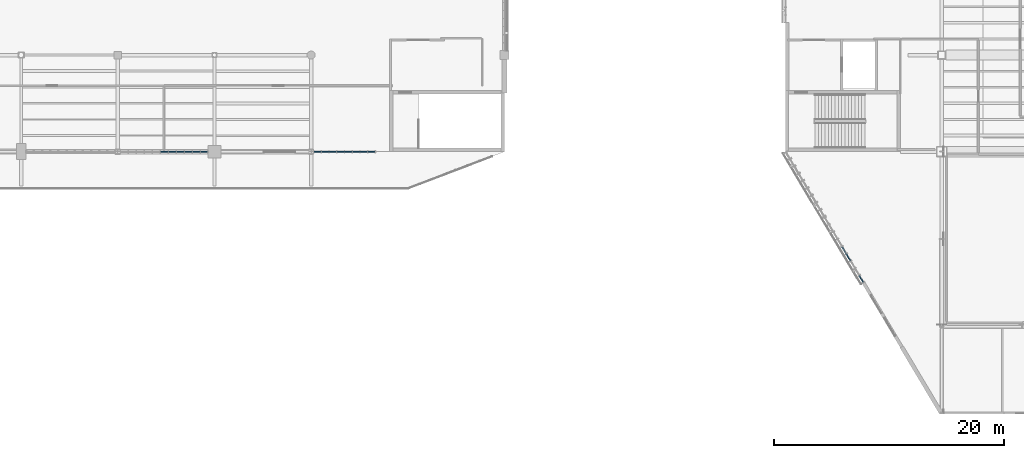
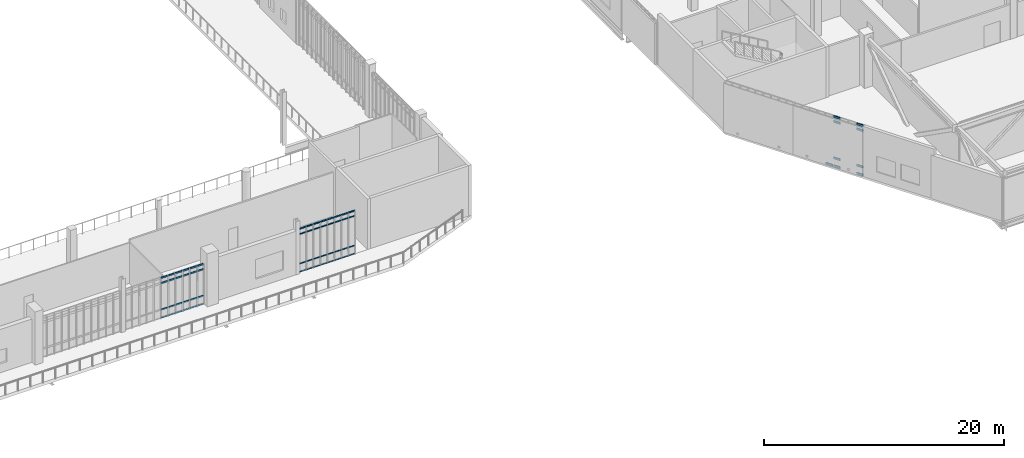
# One storey, part 48 of 135: 65 members, 3 elements without a shape of their own.
"""IFC4 building model written with IfcOpenShell, lengths in metres."""

from ifc_helpers import new_model, si_unit, direction, frame, origin, origin_2d, place, context, subcontext, project, spatial, rectangle, extrude, material, material_profile, profile_set, type_object, element, aggregate, save


model = new_model("IFC4")

# Units and contexts
model_context = context("Model", 3, precision=1e-05, world=origin(), true_north=direction((0.0, 1.0)))
body_context = subcontext(model_context, "Body", "Model", "MODEL_VIEW")
ifc_project = project(units=[si_unit("LENGTHUNIT", "METRE"), si_unit("AREAUNIT", "SQUARE_METRE"), si_unit("VOLUMEUNIT", "CUBIC_METRE"), si_unit("PLANEANGLEUNIT", "RADIAN"), si_unit("MASSUNIT", "GRAM", prefix="KILO")], contexts=[model_context])

# Site, building, storey
site_placement = place(None, origin())
site = spatial("IfcSite", under=ifc_project, at=site_placement, CompositionType="ELEMENT")
building_placement = place(site_placement, origin())
building = spatial("IfcBuilding", under=site, at=building_placement, Name="Larkvane Passage Sports Hall", CompositionType="ELEMENT")
storey_placement = place(building_placement, frame((0.0, 0.0, 16.800048828125)))
storey = spatial("IfcBuildingStorey", under=building, at=storey_placement, Name="L03", CompositionType="ELEMENT", Elevation=16.800048828125)

# Curtain wall, members
ifc_material_1 = material(Name="Thermally broken aluminium and low-E glazing", Category="aluminium")
curtain_wall_type_1 = type_object("IfcCurtainWallType", Name="CW-UNIT-COURT", PredefinedType="USERDEFINED", material=ifc_material_1)
curtain_wall_1_placement = place(storey_placement, origin())
curtain_wall_1 = element("IfcCurtainWall", 1, at=curtain_wall_1_placement, inside=storey, type_object=curtain_wall_type_1, Name="Curtain wall CW5-L03-124", ObjectType="UNITISED CURTAIN WALL", PredefinedType="USERDEFINED")
ifc_material_2 = material(Name="Anodised aluminium 6063-T6", Category="aluminium")
ifc_material_profile_1 = material_profile(ifc_material_2, rectangle(XDim=0.06005859375, YDim=0.1201171875, at=origin_2d()), Name="ALU-TRN-60x120")
ifc_profile_set_1 = profile_set([ifc_material_profile_1], Name="Anodised aluminium 6063-T6")
member_type_1 = type_object("IfcMemberType", Name="CW-TRN-60x120", PredefinedType="USERDEFINED", material=ifc_profile_set_1)
member_1_placement = place(storey_placement, frame((82.340087890625, 22.800048828125, 0.030029296875), z_axis=(-1.0, 0.0, 0.0), x_axis=(0.0, -1.0, 0.0)))
member_1 = element("IfcMember", 2, at=member_1_placement, type_object=member_type_1, Name="CW-01 transom 1.1", ObjectType="TRANSOM", PredefinedType="USERDEFINED", context=body_context, shape_type="SweptSolid", body=[
    extrude(rectangle(XDim=0.06005859375, YDim=0.1201171875, at=origin_2d()), origin(), (0.0, 0.0, 1.0), 0.585205078125),
])
member_2_placement = place(storey_placement, frame((82.340087890625, 22.800048828125, 0.849853515625), z_axis=(-1.0, 0.0, 0.0), x_axis=(0.0, -1.0, 0.0)))
member_2 = element("IfcMember", 3, at=member_2_placement, type_object=member_type_1, Name="CW-01 transom 1.2", ObjectType="TRANSOM", PredefinedType="USERDEFINED", context=body_context, shape_type="SweptSolid", body=[
    extrude(rectangle(XDim=0.06005859375, YDim=0.1201171875, at=origin_2d()), origin(), (0.0, 0.0, 1.0), 0.585205078125),
])
member_3_placement = place(storey_placement, frame((82.340087890625, 22.800048828125, 3.869873046875), z_axis=(-1.0, 0.0, 0.0), x_axis=(0.0, -1.0, 0.0)))
member_3 = element("IfcMember", 4, at=member_3_placement, type_object=member_type_1, Name="CW-01 transom 1.3", ObjectType="TRANSOM", PredefinedType="USERDEFINED", context=body_context, shape_type="SweptSolid", body=[
    extrude(rectangle(XDim=0.06005859375, YDim=0.1201171875, at=origin_2d()), origin(), (0.0, 0.0, 1.0), 0.585205078125),
])
member_4_placement = place(storey_placement, frame((82.340087890625, 22.800048828125, 4.389892578125), z_axis=(-1.0, 0.0, 0.0), x_axis=(0.0, -1.0, 0.0)))
member_4 = element("IfcMember", 5, at=member_4_placement, type_object=member_type_1, Name="CW-01 transom 1.4", ObjectType="TRANSOM", PredefinedType="USERDEFINED", context=body_context, shape_type="SweptSolid", body=[
    extrude(rectangle(XDim=0.06005859375, YDim=0.1201171875, at=origin_2d()), origin(), (0.0, 0.0, 1.0), 0.585205078125),
])
member_5_placement = place(storey_placement, frame((81.69482421875, 22.800048828125, 0.030029296875), z_axis=(-1.0, 0.0, 0.0), x_axis=(0.0, -1.0, 0.0)))
member_5 = element("IfcMember", 6, at=member_5_placement, type_object=member_type_1, Name="CW-01 transom 2.1", ObjectType="TRANSOM", PredefinedType="USERDEFINED", context=body_context, shape_type="SweptSolid", body=[
    extrude(rectangle(XDim=0.06005859375, YDim=0.1201171875, at=origin_2d()), origin(), (0.0, 0.0, 1.0), 0.615234375),
])
member_6_placement = place(storey_placement, frame((81.69482421875, 22.800048828125, 0.849853515625), z_axis=(-1.0, 0.0, 0.0), x_axis=(0.0, -1.0, 0.0)))
member_6 = element("IfcMember", 7, at=member_6_placement, type_object=member_type_1, Name="CW-01 transom 2.2", ObjectType="TRANSOM", PredefinedType="USERDEFINED", context=body_context, shape_type="SweptSolid", body=[
    extrude(rectangle(XDim=0.06005859375, YDim=0.1201171875, at=origin_2d()), origin(), (0.0, 0.0, 1.0), 0.615234375),
])
member_7_placement = place(storey_placement, frame((81.69482421875, 22.800048828125, 3.869873046875), z_axis=(-1.0, 0.0, 0.0), x_axis=(0.0, -1.0, 0.0)))
member_7 = element("IfcMember", 8, at=member_7_placement, type_object=member_type_1, Name="CW-01 transom 2.3", ObjectType="TRANSOM", PredefinedType="USERDEFINED", context=body_context, shape_type="SweptSolid", body=[
    extrude(rectangle(XDim=0.06005859375, YDim=0.1201171875, at=origin_2d()), origin(), (0.0, 0.0, 1.0), 0.615234375),
])
member_8_placement = place(storey_placement, frame((81.69482421875, 22.800048828125, 4.389892578125), z_axis=(-1.0, 0.0, 0.0), x_axis=(0.0, -1.0, 0.0)))
member_8 = element("IfcMember", 9, at=member_8_placement, type_object=member_type_1, Name="CW-01 transom 2.4", ObjectType="TRANSOM", PredefinedType="USERDEFINED", context=body_context, shape_type="SweptSolid", body=[
    extrude(rectangle(XDim=0.06005859375, YDim=0.1201171875, at=origin_2d()), origin(), (0.0, 0.0, 1.0), 0.615234375),
])
member_9_placement = place(storey_placement, frame((81.01953125, 22.800048828125, 0.030029296875), z_axis=(-1.0, 0.0, 0.0), x_axis=(0.0, -1.0, 0.0)))
member_9 = element("IfcMember", 10, at=member_9_placement, type_object=member_type_1, Name="CW-01 transom 3.1", ObjectType="TRANSOM", PredefinedType="USERDEFINED", context=body_context, shape_type="SweptSolid", body=[
    extrude(rectangle(XDim=0.06005859375, YDim=0.1201171875, at=origin_2d()), origin(), (0.0, 0.0, 1.0), 0.614990234375),
])
member_10_placement = place(storey_placement, frame((81.01953125, 22.800048828125, 0.849853515625), z_axis=(-1.0, 0.0, 0.0), x_axis=(0.0, -1.0, 0.0)))
member_10 = element("IfcMember", 11, at=member_10_placement, type_object=member_type_1, Name="CW-01 transom 3.2", ObjectType="TRANSOM", PredefinedType="USERDEFINED", context=body_context, shape_type="SweptSolid", body=[
    extrude(rectangle(XDim=0.06005859375, YDim=0.1201171875, at=origin_2d()), origin(), (0.0, 0.0, 1.0), 0.614990234375),
])
member_11_placement = place(storey_placement, frame((81.01953125, 22.800048828125, 3.869873046875), z_axis=(-1.0, 0.0, 0.0), x_axis=(0.0, -1.0, 0.0)))
member_11 = element("IfcMember", 12, at=member_11_placement, type_object=member_type_1, Name="CW-01 transom 3.3", ObjectType="TRANSOM", PredefinedType="USERDEFINED", context=body_context, shape_type="SweptSolid", body=[
    extrude(rectangle(XDim=0.06005859375, YDim=0.1201171875, at=origin_2d()), origin(), (0.0, 0.0, 1.0), 0.614990234375),
])
member_12_placement = place(storey_placement, frame((81.01953125, 22.800048828125, 4.389892578125), z_axis=(-1.0, 0.0, 0.0), x_axis=(0.0, -1.0, 0.0)))
member_12 = element("IfcMember", 13, at=member_12_placement, type_object=member_type_1, Name="CW-01 transom 3.4", ObjectType="TRANSOM", PredefinedType="USERDEFINED", context=body_context, shape_type="SweptSolid", body=[
    extrude(rectangle(XDim=0.06005859375, YDim=0.1201171875, at=origin_2d()), origin(), (0.0, 0.0, 1.0), 0.614990234375),
])
member_13_placement = place(storey_placement, frame((80.344482421875, 22.800048828125, 0.030029296875), z_axis=(-1.0, 0.0, 0.0), x_axis=(0.0, -1.0, 0.0)))
member_13 = element("IfcMember", 14, at=member_13_placement, type_object=member_type_1, Name="CW-01 transom 4.1", ObjectType="TRANSOM", PredefinedType="USERDEFINED", context=body_context, shape_type="SweptSolid", body=[
    extrude(rectangle(XDim=0.06005859375, YDim=0.1201171875, at=origin_2d()), origin(), (0.0, 0.0, 1.0), 0.615234375),
])
member_14_placement = place(storey_placement, frame((80.344482421875, 22.800048828125, 0.849853515625), z_axis=(-1.0, 0.0, 0.0), x_axis=(0.0, -1.0, 0.0)))
member_14 = element("IfcMember", 15, at=member_14_placement, type_object=member_type_1, Name="CW-01 transom 4.2", ObjectType="TRANSOM", PredefinedType="USERDEFINED", context=body_context, shape_type="SweptSolid", body=[
    extrude(rectangle(XDim=0.06005859375, YDim=0.1201171875, at=origin_2d()), origin(), (0.0, 0.0, 1.0), 0.615234375),
])
member_15_placement = place(storey_placement, frame((80.344482421875, 22.800048828125, 3.869873046875), z_axis=(-1.0, 0.0, 0.0), x_axis=(0.0, -1.0, 0.0)))
member_15 = element("IfcMember", 16, at=member_15_placement, type_object=member_type_1, Name="CW-01 transom 4.3", ObjectType="TRANSOM", PredefinedType="USERDEFINED", context=body_context, shape_type="SweptSolid", body=[
    extrude(rectangle(XDim=0.06005859375, YDim=0.1201171875, at=origin_2d()), origin(), (0.0, 0.0, 1.0), 0.615234375),
])
member_16_placement = place(storey_placement, frame((80.344482421875, 22.800048828125, 4.389892578125), z_axis=(-1.0, 0.0, 0.0), x_axis=(0.0, -1.0, 0.0)))
member_16 = element("IfcMember", 17, at=member_16_placement, type_object=member_type_1, Name="CW-01 transom 4.4", ObjectType="TRANSOM", PredefinedType="USERDEFINED", context=body_context, shape_type="SweptSolid", body=[
    extrude(rectangle(XDim=0.06005859375, YDim=0.1201171875, at=origin_2d()), origin(), (0.0, 0.0, 1.0), 0.615234375),
])
member_17_placement = place(storey_placement, frame((79.669189453125, 22.800048828125, 0.030029296875), z_axis=(-1.0, 0.0, 0.0), x_axis=(0.0, -1.0, 0.0)))
member_17 = element("IfcMember", 18, at=member_17_placement, type_object=member_type_1, Name="CW-01 transom 5.1", ObjectType="TRANSOM", PredefinedType="USERDEFINED", context=body_context, shape_type="SweptSolid", body=[
    extrude(rectangle(XDim=0.06005859375, YDim=0.1201171875, at=origin_2d()), origin(), (0.0, 0.0, 1.0), 0.615234375),
])
member_18_placement = place(storey_placement, frame((79.669189453125, 22.800048828125, 0.849853515625), z_axis=(-1.0, 0.0, 0.0), x_axis=(0.0, -1.0, 0.0)))
member_18 = element("IfcMember", 19, at=member_18_placement, type_object=member_type_1, Name="CW-01 transom 5.2", ObjectType="TRANSOM", PredefinedType="USERDEFINED", context=body_context, shape_type="SweptSolid", body=[
    extrude(rectangle(XDim=0.06005859375, YDim=0.1201171875, at=origin_2d()), origin(), (0.0, 0.0, 1.0), 0.615234375),
])
member_19_placement = place(storey_placement, frame((79.669189453125, 22.800048828125, 3.869873046875), z_axis=(-1.0, 0.0, 0.0), x_axis=(0.0, -1.0, 0.0)))
member_19 = element("IfcMember", 20, at=member_19_placement, type_object=member_type_1, Name="CW-01 transom 5.3", ObjectType="TRANSOM", PredefinedType="USERDEFINED", context=body_context, shape_type="SweptSolid", body=[
    extrude(rectangle(XDim=0.06005859375, YDim=0.1201171875, at=origin_2d()), origin(), (0.0, 0.0, 1.0), 0.615234375),
])
member_20_placement = place(storey_placement, frame((79.669189453125, 22.800048828125, 4.389892578125), z_axis=(-1.0, 0.0, 0.0), x_axis=(0.0, -1.0, 0.0)))
member_20 = element("IfcMember", 21, at=member_20_placement, type_object=member_type_1, Name="CW-01 transom 5.4", ObjectType="TRANSOM", PredefinedType="USERDEFINED", context=body_context, shape_type="SweptSolid", body=[
    extrude(rectangle(XDim=0.06005859375, YDim=0.1201171875, at=origin_2d()), origin(), (0.0, 0.0, 1.0), 0.615234375),
])
member_21_placement = place(storey_placement, frame((78.994140625, 22.800048828125, 0.030029296875), z_axis=(-1.0, 0.0, 0.0), x_axis=(0.0, -1.0, 0.0)))
member_21 = element("IfcMember", 22, at=member_21_placement, type_object=member_type_1, Name="CW-01 transom 6.1", ObjectType="TRANSOM", PredefinedType="USERDEFINED", context=body_context, shape_type="SweptSolid", body=[
    extrude(rectangle(XDim=0.06005859375, YDim=0.1201171875, at=origin_2d()), origin(), (0.0, 0.0, 1.0), 0.615234375),
])
member_22_placement = place(storey_placement, frame((78.994140625, 22.800048828125, 0.849853515625), z_axis=(-1.0, 0.0, 0.0), x_axis=(0.0, -1.0, 0.0)))
member_22 = element("IfcMember", 23, at=member_22_placement, type_object=member_type_1, Name="CW-01 transom 6.2", ObjectType="TRANSOM", PredefinedType="USERDEFINED", context=body_context, shape_type="SweptSolid", body=[
    extrude(rectangle(XDim=0.06005859375, YDim=0.1201171875, at=origin_2d()), origin(), (0.0, 0.0, 1.0), 0.615234375),
])
member_23_placement = place(storey_placement, frame((78.994140625, 22.800048828125, 3.869873046875), z_axis=(-1.0, 0.0, 0.0), x_axis=(0.0, -1.0, 0.0)))
member_23 = element("IfcMember", 24, at=member_23_placement, type_object=member_type_1, Name="CW-01 transom 6.3", ObjectType="TRANSOM", PredefinedType="USERDEFINED", context=body_context, shape_type="SweptSolid", body=[
    extrude(rectangle(XDim=0.06005859375, YDim=0.1201171875, at=origin_2d()), origin(), (0.0, 0.0, 1.0), 0.615234375),
])
member_24_placement = place(storey_placement, frame((78.994140625, 22.800048828125, 4.389892578125), z_axis=(-1.0, 0.0, 0.0), x_axis=(0.0, -1.0, 0.0)))
member_24 = element("IfcMember", 25, at=member_24_placement, type_object=member_type_1, Name="CW-01 transom 6.4", ObjectType="TRANSOM", PredefinedType="USERDEFINED", context=body_context, shape_type="SweptSolid", body=[
    extrude(rectangle(XDim=0.06005859375, YDim=0.1201171875, at=origin_2d()), origin(), (0.0, 0.0, 1.0), 0.615234375),
])
member_25_placement = place(storey_placement, frame((78.31884765625, 22.800048828125, 0.030029296875), z_axis=(-1.0, 0.0, 0.0), x_axis=(0.0, -1.0, 0.0)))
member_25 = element("IfcMember", 26, at=member_25_placement, type_object=member_type_1, Name="CW-01 transom 7.1", ObjectType="TRANSOM", PredefinedType="USERDEFINED", context=body_context, shape_type="SweptSolid", body=[
    extrude(rectangle(XDim=0.06005859375, YDim=0.1201171875, at=origin_2d()), origin(), (0.0, 0.0, 1.0), 0.615234375),
])
member_26_placement = place(storey_placement, frame((78.31884765625, 22.800048828125, 0.849853515625), z_axis=(-1.0, 0.0, 0.0), x_axis=(0.0, -1.0, 0.0)))
member_26 = element("IfcMember", 27, at=member_26_placement, type_object=member_type_1, Name="CW-01 transom 7.2", ObjectType="TRANSOM", PredefinedType="USERDEFINED", context=body_context, shape_type="SweptSolid", body=[
    extrude(rectangle(XDim=0.06005859375, YDim=0.1201171875, at=origin_2d()), origin(), (0.0, 0.0, 1.0), 0.615234375),
])
member_27_placement = place(storey_placement, frame((78.31884765625, 22.800048828125, 3.869873046875), z_axis=(-1.0, 0.0, 0.0), x_axis=(0.0, -1.0, 0.0)))
member_27 = element("IfcMember", 28, at=member_27_placement, type_object=member_type_1, Name="CW-01 transom 7.3", ObjectType="TRANSOM", PredefinedType="USERDEFINED", context=body_context, shape_type="SweptSolid", body=[
    extrude(rectangle(XDim=0.06005859375, YDim=0.1201171875, at=origin_2d()), origin(), (0.0, 0.0, 1.0), 0.615234375),
])
member_28_placement = place(storey_placement, frame((78.31884765625, 22.800048828125, 4.389892578125), z_axis=(-1.0, 0.0, 0.0), x_axis=(0.0, -1.0, 0.0)))
member_28 = element("IfcMember", 29, at=member_28_placement, type_object=member_type_1, Name="CW-01 transom 7.4", ObjectType="TRANSOM", PredefinedType="USERDEFINED", context=body_context, shape_type="SweptSolid", body=[
    extrude(rectangle(XDim=0.06005859375, YDim=0.1201171875, at=origin_2d()), origin(), (0.0, 0.0, 1.0), 0.615234375),
])
member_29_placement = place(storey_placement, frame((77.643798828125, 22.800048828125, 0.030029296875), z_axis=(-1.0, 0.0, 0.0), x_axis=(0.0, -1.0, 0.0)))
member_29 = element("IfcMember", 30, at=member_29_placement, type_object=member_type_1, Name="CW-01 transom 8.1", ObjectType="TRANSOM", PredefinedType="USERDEFINED", context=body_context, shape_type="SweptSolid", body=[
    extrude(rectangle(XDim=0.06005859375, YDim=0.1201171875, at=origin_2d()), origin(), (0.0, 0.0, 1.0), 0.585205078125),
])
member_30_placement = place(storey_placement, frame((77.643798828125, 22.800048828125, 0.849853515625), z_axis=(-1.0, 0.0, 0.0), x_axis=(0.0, -1.0, 0.0)))
member_30 = element("IfcMember", 31, at=member_30_placement, type_object=member_type_1, Name="CW-01 transom 8.2", ObjectType="TRANSOM", PredefinedType="USERDEFINED", context=body_context, shape_type="SweptSolid", body=[
    extrude(rectangle(XDim=0.06005859375, YDim=0.1201171875, at=origin_2d()), origin(), (0.0, 0.0, 1.0), 0.585205078125),
])
member_31_placement = place(storey_placement, frame((77.643798828125, 22.800048828125, 3.869873046875), z_axis=(-1.0, 0.0, 0.0), x_axis=(0.0, -1.0, 0.0)))
member_31 = element("IfcMember", 32, at=member_31_placement, type_object=member_type_1, Name="CW-01 transom 8.3", ObjectType="TRANSOM", PredefinedType="USERDEFINED", context=body_context, shape_type="SweptSolid", body=[
    extrude(rectangle(XDim=0.06005859375, YDim=0.1201171875, at=origin_2d()), origin(), (0.0, 0.0, 1.0), 0.585205078125),
])
member_32_placement = place(storey_placement, frame((77.643798828125, 22.800048828125, 4.389892578125), z_axis=(-1.0, 0.0, 0.0), x_axis=(0.0, -1.0, 0.0)))
member_32 = element("IfcMember", 33, at=member_32_placement, type_object=member_type_1, Name="CW-01 transom 8.4", ObjectType="TRANSOM", PredefinedType="USERDEFINED", context=body_context, shape_type="SweptSolid", body=[
    extrude(rectangle(XDim=0.06005859375, YDim=0.1201171875, at=origin_2d()), origin(), (0.0, 0.0, 1.0), 0.585205078125),
])
aggregate(curtain_wall_1, [member_1, member_2, member_3, member_4, member_5, member_6, member_7, member_8, member_9, member_10, member_11, member_12, member_13, member_14, member_15, member_16, member_17, member_18, member_19, member_20, member_21, member_22, member_23, member_24, member_25, member_26, member_27, member_28, member_29, member_30, member_31, member_32])

curtain_wall_type_2 = type_object("IfcCurtainWallType", Name="CW-UNIT-VEIL", PredefinedType="USERDEFINED", material=ifc_material_1)
curtain_wall_2_placement = place(storey_placement, origin())
curtain_wall_2 = element("IfcCurtainWall", 34, at=curtain_wall_2_placement, inside=storey, type_object=curtain_wall_type_2, Name="Curtain wall CW5-L03-125", ObjectType="UNITISED CURTAIN WALL", PredefinedType="USERDEFINED")
ifc_material_profile_2 = material_profile(ifc_material_2, rectangle(XDim=0.070068359375, YDim=0.159912109375, at=origin_2d()), Name="ALU-TRN-70x160")
ifc_profile_set_2 = profile_set([ifc_material_profile_2], Name="Anodised aluminium 6063-T6")
member_type_2 = type_object("IfcMemberType", Name="CW-TRN-70x160", PredefinedType="USERDEFINED", material=ifc_profile_set_2)
member_33_placement = place(storey_placement, frame((67.783935546875, 22.800048828125, 0.034912109375), z_axis=(-1.0, 0.0, 0.0), x_axis=(0.0, -1.0, 0.0)))
member_33 = element("IfcMember", 35, at=member_33_placement, type_object=member_type_2, Name="CW-02 transom 1.1", ObjectType="TRANSOM", PredefinedType="USERDEFINED", context=body_context, shape_type="SweptSolid", body=[
    extrude(rectangle(XDim=0.070068359375, YDim=0.159912109375, at=origin_2d()), origin(), (0.0, 0.0, 1.0), 0.5908203125),
])
member_34_placement = place(storey_placement, frame((67.783935546875, 22.800048828125, 0.849853515625), z_axis=(-1.0, 0.0, 0.0), x_axis=(0.0, -1.0, 0.0)))
member_34 = element("IfcMember", 36, at=member_34_placement, type_object=member_type_2, Name="CW-02 transom 1.2", ObjectType="TRANSOM", PredefinedType="USERDEFINED", context=body_context, shape_type="SweptSolid", body=[
    extrude(rectangle(XDim=0.070068359375, YDim=0.159912109375, at=origin_2d()), origin(), (0.0, 0.0, 1.0), 0.5908203125),
])
member_35_placement = place(storey_placement, frame((67.783935546875, 22.800048828125, 3.557861328125), z_axis=(-1.0, 0.0, 0.0), x_axis=(0.0, -1.0, 0.0)))
member_35 = element("IfcMember", 37, at=member_35_placement, type_object=member_type_2, Name="CW-02 transom 1.3", ObjectType="TRANSOM", PredefinedType="USERDEFINED", context=body_context, shape_type="SweptSolid", body=[
    extrude(rectangle(XDim=0.070068359375, YDim=0.159912109375, at=origin_2d()), origin(), (0.0, 0.0, 1.0), 0.5908203125),
])
member_36_placement = place(storey_placement, frame((67.783935546875, 22.800048828125, 4.072998046875), z_axis=(-1.0, 0.0, 0.0), x_axis=(0.0, -1.0, 0.0)))
member_36 = element("IfcMember", 38, at=member_36_placement, type_object=member_type_2, Name="CW-02 transom 1.4", ObjectType="TRANSOM", PredefinedType="USERDEFINED", context=body_context, shape_type="SweptSolid", body=[
    extrude(rectangle(XDim=0.070068359375, YDim=0.159912109375, at=origin_2d()), origin(), (0.0, 0.0, 1.0), 0.5908203125),
])
member_37_placement = place(storey_placement, frame((67.123046875, 22.800048828125, 0.034912109375), z_axis=(-1.0, 0.0, 0.0), x_axis=(0.0, -1.0, 0.0)))
member_37 = element("IfcMember", 39, at=member_37_placement, type_object=member_type_2, Name="CW-02 transom 2.1", ObjectType="TRANSOM", PredefinedType="USERDEFINED", context=body_context, shape_type="SweptSolid", body=[
    extrude(rectangle(XDim=0.070068359375, YDim=0.159912109375, at=origin_2d()), origin(), (0.0, 0.0, 1.0), 0.625732421875),
])
member_38_placement = place(storey_placement, frame((67.123046875, 22.800048828125, 0.849853515625), z_axis=(-1.0, 0.0, 0.0), x_axis=(0.0, -1.0, 0.0)))
member_38 = element("IfcMember", 40, at=member_38_placement, type_object=member_type_2, Name="CW-02 transom 2.2", ObjectType="TRANSOM", PredefinedType="USERDEFINED", context=body_context, shape_type="SweptSolid", body=[
    extrude(rectangle(XDim=0.070068359375, YDim=0.159912109375, at=origin_2d()), origin(), (0.0, 0.0, 1.0), 0.625732421875),
])
member_39_placement = place(storey_placement, frame((67.123046875, 22.800048828125, 3.557861328125), z_axis=(-1.0, 0.0, 0.0), x_axis=(0.0, -1.0, 0.0)))
member_39 = element("IfcMember", 41, at=member_39_placement, type_object=member_type_2, Name="CW-02 transom 2.3", ObjectType="TRANSOM", PredefinedType="USERDEFINED", context=body_context, shape_type="SweptSolid", body=[
    extrude(rectangle(XDim=0.070068359375, YDim=0.159912109375, at=origin_2d()), origin(), (0.0, 0.0, 1.0), 0.625732421875),
])
member_40_placement = place(storey_placement, frame((67.123046875, 22.800048828125, 4.072998046875), z_axis=(-1.0, 0.0, 0.0), x_axis=(0.0, -1.0, 0.0)))
member_40 = element("IfcMember", 42, at=member_40_placement, type_object=member_type_2, Name="CW-02 transom 2.4", ObjectType="TRANSOM", PredefinedType="USERDEFINED", context=body_context, shape_type="SweptSolid", body=[
    extrude(rectangle(XDim=0.070068359375, YDim=0.159912109375, at=origin_2d()), origin(), (0.0, 0.0, 1.0), 0.625732421875),
])
member_41_placement = place(storey_placement, frame((66.42724609375, 22.800048828125, 0.034912109375), z_axis=(-1.0, 0.0, 0.0), x_axis=(0.0, -1.0, 0.0)))
member_41 = element("IfcMember", 43, at=member_41_placement, type_object=member_type_2, Name="CW-02 transom 3.1", ObjectType="TRANSOM", PredefinedType="USERDEFINED", context=body_context, shape_type="SweptSolid", body=[
    extrude(rectangle(XDim=0.070068359375, YDim=0.159912109375, at=origin_2d()), origin(), (0.0, 0.0, 1.0), 0.625732421875),
])
member_42_placement = place(storey_placement, frame((66.42724609375, 22.800048828125, 0.849853515625), z_axis=(-1.0, 0.0, 0.0), x_axis=(0.0, -1.0, 0.0)))
member_42 = element("IfcMember", 44, at=member_42_placement, type_object=member_type_2, Name="CW-02 transom 3.2", ObjectType="TRANSOM", PredefinedType="USERDEFINED", context=body_context, shape_type="SweptSolid", body=[
    extrude(rectangle(XDim=0.070068359375, YDim=0.159912109375, at=origin_2d()), origin(), (0.0, 0.0, 1.0), 0.625732421875),
])
member_43_placement = place(storey_placement, frame((66.42724609375, 22.800048828125, 3.557861328125), z_axis=(-1.0, 0.0, 0.0), x_axis=(0.0, -1.0, 0.0)))
member_43 = element("IfcMember", 45, at=member_43_placement, type_object=member_type_2, Name="CW-02 transom 3.3", ObjectType="TRANSOM", PredefinedType="USERDEFINED", context=body_context, shape_type="SweptSolid", body=[
    extrude(rectangle(XDim=0.070068359375, YDim=0.159912109375, at=origin_2d()), origin(), (0.0, 0.0, 1.0), 0.625732421875),
])
member_44_placement = place(storey_placement, frame((66.42724609375, 22.800048828125, 4.072998046875), z_axis=(-1.0, 0.0, 0.0), x_axis=(0.0, -1.0, 0.0)))
member_44 = element("IfcMember", 46, at=member_44_placement, type_object=member_type_2, Name="CW-02 transom 3.4", ObjectType="TRANSOM", PredefinedType="USERDEFINED", context=body_context, shape_type="SweptSolid", body=[
    extrude(rectangle(XDim=0.070068359375, YDim=0.159912109375, at=origin_2d()), origin(), (0.0, 0.0, 1.0), 0.625732421875),
])
member_45_placement = place(storey_placement, frame((65.7314453125, 22.800048828125, 0.034912109375), z_axis=(-1.0, 0.0, 0.0), x_axis=(0.0, -1.0, 0.0)))
member_45 = element("IfcMember", 47, at=member_45_placement, type_object=member_type_2, Name="CW-02 transom 4.1", ObjectType="TRANSOM", PredefinedType="USERDEFINED", context=body_context, shape_type="SweptSolid", body=[
    extrude(rectangle(XDim=0.070068359375, YDim=0.159912109375, at=origin_2d()), origin(), (0.0, 0.0, 1.0), 0.6259765625),
])
member_46_placement = place(storey_placement, frame((65.7314453125, 22.800048828125, 0.849853515625), z_axis=(-1.0, 0.0, 0.0), x_axis=(0.0, -1.0, 0.0)))
member_46 = element("IfcMember", 48, at=member_46_placement, type_object=member_type_2, Name="CW-02 transom 4.2", ObjectType="TRANSOM", PredefinedType="USERDEFINED", context=body_context, shape_type="SweptSolid", body=[
    extrude(rectangle(XDim=0.070068359375, YDim=0.159912109375, at=origin_2d()), origin(), (0.0, 0.0, 1.0), 0.6259765625),
])
member_47_placement = place(storey_placement, frame((65.7314453125, 22.800048828125, 3.557861328125), z_axis=(-1.0, 0.0, 0.0), x_axis=(0.0, -1.0, 0.0)))
member_47 = element("IfcMember", 49, at=member_47_placement, type_object=member_type_2, Name="CW-02 transom 4.3", ObjectType="TRANSOM", PredefinedType="USERDEFINED", context=body_context, shape_type="SweptSolid", body=[
    extrude(rectangle(XDim=0.070068359375, YDim=0.159912109375, at=origin_2d()), origin(), (0.0, 0.0, 1.0), 0.6259765625),
])
member_48_placement = place(storey_placement, frame((65.7314453125, 22.800048828125, 4.072998046875), z_axis=(-1.0, 0.0, 0.0), x_axis=(0.0, -1.0, 0.0)))
member_48 = element("IfcMember", 50, at=member_48_placement, type_object=member_type_2, Name="CW-02 transom 4.4", ObjectType="TRANSOM", PredefinedType="USERDEFINED", context=body_context, shape_type="SweptSolid", body=[
    extrude(rectangle(XDim=0.070068359375, YDim=0.159912109375, at=origin_2d()), origin(), (0.0, 0.0, 1.0), 0.6259765625),
])
member_49_placement = place(storey_placement, frame((65.03564453125, 22.800048828125, 0.034912109375), z_axis=(-1.0, 0.0, 0.0), x_axis=(0.0, -1.0, 0.0)))
member_49 = element("IfcMember", 51, at=member_49_placement, type_object=member_type_2, Name="CW-02 transom 5.1", ObjectType="TRANSOM", PredefinedType="USERDEFINED", context=body_context, shape_type="SweptSolid", body=[
    extrude(rectangle(XDim=0.070068359375, YDim=0.159912109375, at=origin_2d()), origin(), (0.0, 0.0, 1.0), 0.6259765625),
])
member_50_placement = place(storey_placement, frame((65.03564453125, 22.800048828125, 0.849853515625), z_axis=(-1.0, 0.0, 0.0), x_axis=(0.0, -1.0, 0.0)))
member_50 = element("IfcMember", 52, at=member_50_placement, type_object=member_type_2, Name="CW-02 transom 5.2", ObjectType="TRANSOM", PredefinedType="USERDEFINED", context=body_context, shape_type="SweptSolid", body=[
    extrude(rectangle(XDim=0.070068359375, YDim=0.159912109375, at=origin_2d()), origin(), (0.0, 0.0, 1.0), 0.6259765625),
])
member_51_placement = place(storey_placement, frame((65.03564453125, 22.800048828125, 3.557861328125), z_axis=(-1.0, 0.0, 0.0), x_axis=(0.0, -1.0, 0.0)))
member_51 = element("IfcMember", 53, at=member_51_placement, type_object=member_type_2, Name="CW-02 transom 5.3", ObjectType="TRANSOM", PredefinedType="USERDEFINED", context=body_context, shape_type="SweptSolid", body=[
    extrude(rectangle(XDim=0.070068359375, YDim=0.159912109375, at=origin_2d()), origin(), (0.0, 0.0, 1.0), 0.6259765625),
])
member_52_placement = place(storey_placement, frame((65.03564453125, 22.800048828125, 4.072998046875), z_axis=(-1.0, 0.0, 0.0), x_axis=(0.0, -1.0, 0.0)))
member_52 = element("IfcMember", 54, at=member_52_placement, type_object=member_type_2, Name="CW-02 transom 5.4", ObjectType="TRANSOM", PredefinedType="USERDEFINED", context=body_context, shape_type="SweptSolid", body=[
    extrude(rectangle(XDim=0.070068359375, YDim=0.159912109375, at=origin_2d()), origin(), (0.0, 0.0, 1.0), 0.6259765625),
])
member_53_placement = place(storey_placement, frame((64.339599609375, 22.800048828125, 0.034912109375), z_axis=(-1.0, 0.0, 0.0), x_axis=(0.0, -1.0, 0.0)))
member_53 = element("IfcMember", 55, at=member_53_placement, type_object=member_type_2, Name="CW-02 transom 6.1", ObjectType="TRANSOM", PredefinedType="USERDEFINED", context=body_context, shape_type="SweptSolid", body=[
    extrude(rectangle(XDim=0.070068359375, YDim=0.159912109375, at=origin_2d()), origin(), (0.0, 0.0, 1.0), 0.625732421875),
])
member_54_placement = place(storey_placement, frame((64.339599609375, 22.800048828125, 0.849853515625), z_axis=(-1.0, 0.0, 0.0), x_axis=(0.0, -1.0, 0.0)))
member_54 = element("IfcMember", 56, at=member_54_placement, type_object=member_type_2, Name="CW-02 transom 6.2", ObjectType="TRANSOM", PredefinedType="USERDEFINED", context=body_context, shape_type="SweptSolid", body=[
    extrude(rectangle(XDim=0.070068359375, YDim=0.159912109375, at=origin_2d()), origin(), (0.0, 0.0, 1.0), 0.625732421875),
])
member_55_placement = place(storey_placement, frame((64.339599609375, 22.800048828125, 3.557861328125), z_axis=(-1.0, 0.0, 0.0), x_axis=(0.0, -1.0, 0.0)))
member_55 = element("IfcMember", 57, at=member_55_placement, type_object=member_type_2, Name="CW-02 transom 6.3", ObjectType="TRANSOM", PredefinedType="USERDEFINED", context=body_context, shape_type="SweptSolid", body=[
    extrude(rectangle(XDim=0.070068359375, YDim=0.159912109375, at=origin_2d()), origin(), (0.0, 0.0, 1.0), 0.625732421875),
])
member_56_placement = place(storey_placement, frame((64.339599609375, 22.800048828125, 4.072998046875), z_axis=(-1.0, 0.0, 0.0), x_axis=(0.0, -1.0, 0.0)))
member_56 = element("IfcMember", 58, at=member_56_placement, type_object=member_type_2, Name="CW-02 transom 6.4", ObjectType="TRANSOM", PredefinedType="USERDEFINED", context=body_context, shape_type="SweptSolid", body=[
    extrude(rectangle(XDim=0.070068359375, YDim=0.159912109375, at=origin_2d()), origin(), (0.0, 0.0, 1.0), 0.625732421875),
])
aggregate(curtain_wall_2, [member_33, member_34, member_35, member_36, member_37, member_38, member_39, member_40, member_41, member_42, member_43, member_44, member_45, member_46, member_47, member_48, member_49, member_50, member_51, member_52, member_53, member_54, member_55, member_56])

curtain_wall_type_3 = type_object("IfcCurtainWallType", Name="CW-STICK-FOYER", PredefinedType="USERDEFINED", material=ifc_material_1)
curtain_wall_3_placement = place(storey_placement, origin())
curtain_wall_3 = element("IfcCurtainWall", 59, at=curtain_wall_3_placement, inside=storey, type_object=curtain_wall_type_3, Name="Curtain wall CW5-L03-118", ObjectType="STICK CURTAIN WALL", PredefinedType="USERDEFINED")
ifc_material_profile_3 = material_profile(ifc_material_2, rectangle(XDim=0.080078125, YDim=0.2099609375, at=origin_2d()), Name="ALU-TRN-80x210")
ifc_profile_set_3 = profile_set([ifc_material_profile_3], Name="Anodised aluminium 6063-T6")
member_type_3 = type_object("IfcMemberType", Name="CW-TRN-80x210", PredefinedType="USERDEFINED", material=ifc_profile_set_3)
member_57_placement = place(storey_placement, frame((124.759033203125, 11.46875, 0.0400390625), z_axis=(-0.512401080946, 0.85874625603, 0.0), x_axis=(-0.85874625603, -0.512401080946, 0.0)))
member_57 = element("IfcMember", 60, at=member_57_placement, type_object=member_type_3, Name="CW-03 transom 1.1", ObjectType="TRANSOM", PredefinedType="USERDEFINED", context=body_context, shape_type="SweptSolid", body=[
    extrude(rectangle(XDim=0.080078125, YDim=0.2099609375, at=origin_2d()), origin(), (0.0, 0.0, 1.0), 0.617431640625),
])
member_58_placement = place(storey_placement, frame((124.759033203125, 11.46875, 0.849853515625), z_axis=(-0.512401080946, 0.85874625603, 0.0), x_axis=(-0.85874625603, -0.512401080946, 0.0)))
member_58 = element("IfcMember", 61, at=member_58_placement, type_object=member_type_3, Name="CW-03 transom 1.2", ObjectType="TRANSOM", PredefinedType="USERDEFINED", context=body_context, shape_type="SweptSolid", body=[
    extrude(rectangle(XDim=0.080078125, YDim=0.2099609375, at=origin_2d()), origin(), (0.0, 0.0, 1.0), 0.617431640625),
])
member_59_placement = place(storey_placement, frame((124.759033203125, 11.46875, 4.550048828125), z_axis=(-0.512401080946, 0.85874625603, 0.0), x_axis=(-0.85874625603, -0.512401080946, 0.0)))
member_59 = element("IfcMember", 62, at=member_59_placement, type_object=member_type_3, Name="CW-03 transom 1.3", ObjectType="TRANSOM", PredefinedType="USERDEFINED", context=body_context, shape_type="SweptSolid", body=[
    extrude(rectangle(XDim=0.080078125, YDim=0.2099609375, at=origin_2d()), origin(), (0.0, 0.0, 1.0), 0.617431640625),
])
member_60_placement = place(storey_placement, frame((124.759033203125, 11.46875, 5.06005859375), z_axis=(-0.512401080946, 0.85874625603, 0.0), x_axis=(-0.85874625603, -0.512401080946, 0.0)))
member_60 = element("IfcMember", 63, at=member_60_placement, type_object=member_type_3, Name="CW-03 transom 1.4", ObjectType="TRANSOM", PredefinedType="USERDEFINED", context=body_context, shape_type="SweptSolid", body=[
    extrude(rectangle(XDim=0.080078125, YDim=0.2099609375, at=origin_2d()), origin(), (0.0, 0.0, 1.0), 0.617431640625),
])
member_61_placement = place(storey_placement, frame((123.646240234375, 13.33447265625, 0.0400390625), z_axis=(-0.512528182222, 0.858670403839, 0.0), x_axis=(-0.858670403839, -0.512528182222, 0.0)))
member_61 = element("IfcMember", 64, at=member_61_placement, type_object=member_type_3, Name="CW-03 transom 4.1", ObjectType="TRANSOM", PredefinedType="USERDEFINED", context=body_context, shape_type="SweptSolid", body=[
    extrude(rectangle(XDim=0.080078125, YDim=0.2099609375, at=origin_2d()), origin(), (0.0, 0.0, 1.0), 0.657470703125),
])
member_62_placement = place(storey_placement, frame((123.646240234375, 13.33447265625, 0.849853515625), z_axis=(-0.512528182222, 0.858670403839, 0.0), x_axis=(-0.858670403839, -0.512528182222, 0.0)))
member_62 = element("IfcMember", 65, at=member_62_placement, type_object=member_type_3, Name="CW-03 transom 4.2", ObjectType="TRANSOM", PredefinedType="USERDEFINED", context=body_context, shape_type="SweptSolid", body=[
    extrude(rectangle(XDim=0.080078125, YDim=0.2099609375, at=origin_2d()), origin(), (0.0, 0.0, 1.0), 0.657470703125),
])
member_63_placement = place(storey_placement, frame((123.646240234375, 13.33447265625, 4.550048828125), z_axis=(-0.512528182222, 0.858670403839, 0.0), x_axis=(-0.858670403839, -0.512528182222, 0.0)))
member_63 = element("IfcMember", 66, at=member_63_placement, type_object=member_type_3, Name="CW-03 transom 4.3", ObjectType="TRANSOM", PredefinedType="USERDEFINED", context=body_context, shape_type="SweptSolid", body=[
    extrude(rectangle(XDim=0.080078125, YDim=0.2099609375, at=origin_2d()), origin(), (0.0, 0.0, 1.0), 0.657470703125),
])
member_64_placement = place(storey_placement, frame((123.646240234375, 13.33447265625, 5.06005859375), z_axis=(-0.512528182222, 0.858670403839, 0.0), x_axis=(-0.858670403839, -0.512528182222, 0.0)))
member_64 = element("IfcMember", 67, at=member_64_placement, type_object=member_type_3, Name="CW-03 transom 4.4", ObjectType="TRANSOM", PredefinedType="USERDEFINED", context=body_context, shape_type="SweptSolid", body=[
    extrude(rectangle(XDim=0.080078125, YDim=0.2099609375, at=origin_2d()), origin(), (0.0, 0.0, 1.0), 0.657470703125),
])
member_65_placement = place(storey_placement, frame((123.268310546875, 13.9677734375, 0.0400390625), z_axis=(-0.512254267328, 0.858833840509, 0.0), x_axis=(-0.858833840509, -0.512254267328, 0.0)))
member_65 = element("IfcMember", 68, at=member_65_placement, type_object=member_type_3, Name="CW-03 transom 5.1", ObjectType="TRANSOM", PredefinedType="USERDEFINED", context=body_context, shape_type="SweptSolid", body=[
    extrude(rectangle(XDim=0.080078125, YDim=0.2099609375, at=origin_2d()), origin(), (0.0, 0.0, 1.0), 0.6572265625),
])
aggregate(curtain_wall_3, [member_57, member_58, member_59, member_60, member_61, member_62, member_63, member_64, member_65])

save(model, "model.ifc")
